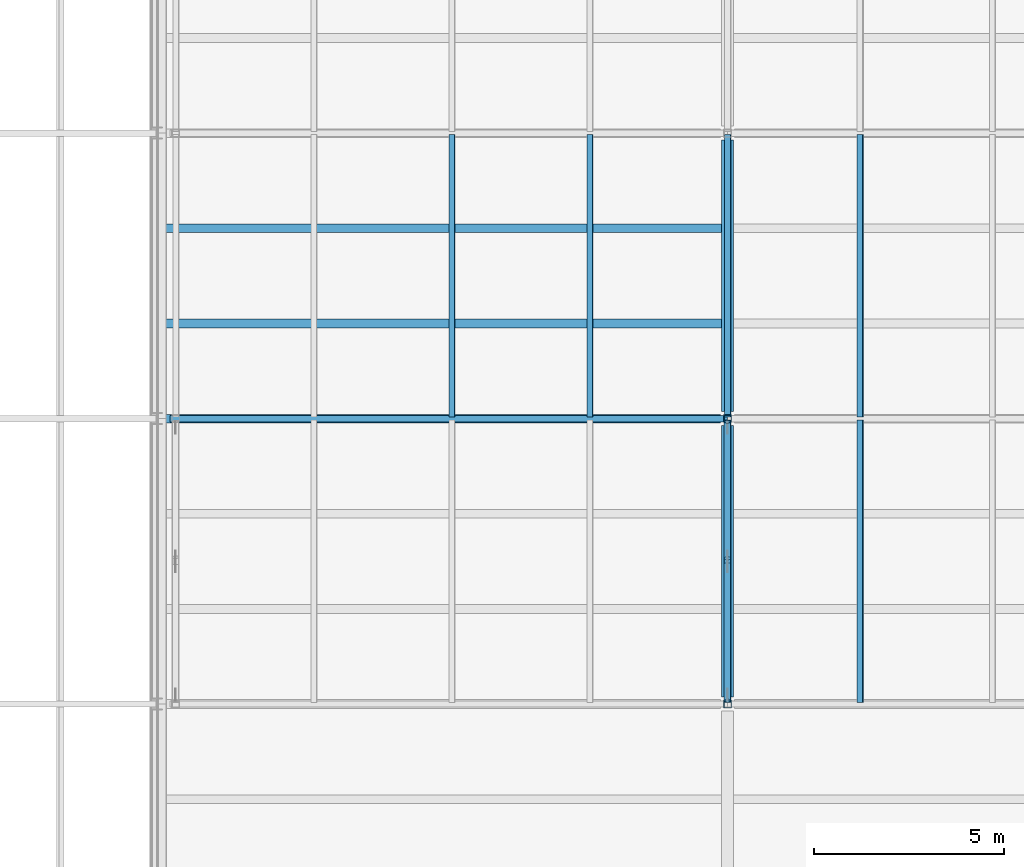
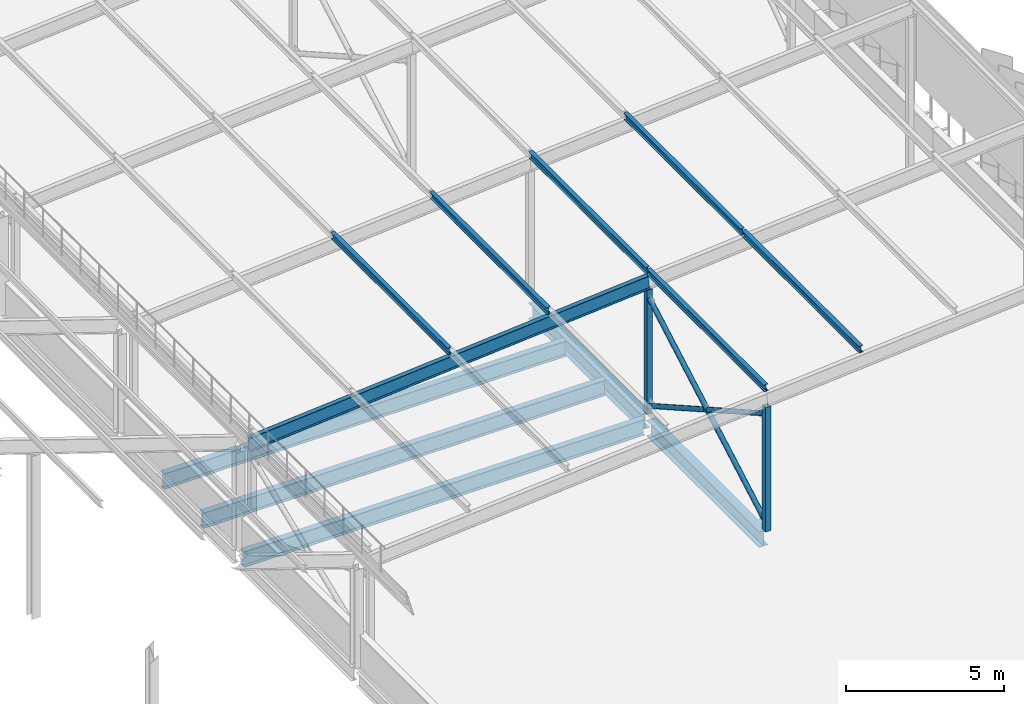
# One storey, part 73 of 483: 12 members, 5 beams.
"""IFC4 building model written with IfcOpenShell, lengths in metres."""

from ifc_helpers import new_model, si_unit, direction, frame, origin, origin_2d, place, context, subcontext, project, spatial, hollow_rectangle, hollow_circle, i_section, extrude, material, material_profile, profile_set, type_object, element, save


model = new_model("IFC4")

# Units and contexts
model_context = context("Model", 3, precision=1e-05, world=origin(), true_north=direction((0.0, 1.0)))
body_context = subcontext(model_context, "Body", "Model", "MODEL_VIEW")
ifc_project = project(units=[si_unit("LENGTHUNIT", "METRE"), si_unit("AREAUNIT", "SQUARE_METRE"), si_unit("VOLUMEUNIT", "CUBIC_METRE"), si_unit("PLANEANGLEUNIT", "RADIAN"), si_unit("MASSUNIT", "GRAM", prefix="KILO")], contexts=[model_context])

# Site, building, storey
site_placement = place(None, origin())
site = spatial("IfcSite", under=ifc_project, at=site_placement, CompositionType="ELEMENT")
building_placement = place(site_placement, origin())
building = spatial("IfcBuilding", under=site, at=building_placement, Name="Parallax Yard Mobility Hub", CompositionType="ELEMENT")
storey_placement = place(building_placement, frame((0.0, 0.0, 13.199951171875)))
storey = spatial("IfcBuildingStorey", under=building, at=storey_placement, Name="L04", CompositionType="ELEMENT", Elevation=13.199951171875)

# Members
ifc_material_1 = material(Name="Steel ASTM A500 Gr C", Category="steel")
ifc_material_profile_1 = material_profile(ifc_material_1, hollow_circle(Radius=0.0888671875, WallThickness=0.0078125, at=origin_2d()), Name="HSS177.8x7.9")
ifc_profile_set_1 = profile_set([ifc_material_profile_1], Name="Steel ASTM A500 Gr C")
member_type_1 = type_object("IfcMemberType", Name="Canopy brace HSS177.8x7.9", PredefinedType="BRACE", material=ifc_profile_set_1)
member_1_placement = place(storey_placement, frame((210.0, 37.586669921875, 0.300048828125), z_axis=(0.0, 0.870117516531, 0.492844303432), x_axis=(-1.0, 0.0, 0.0)))
element("IfcMember", 1, at=member_1_placement, inside=storey, type_object=member_type_1, Name="Canopy X brace RB bay E-A bay 1 diagonal A", PredefinedType="BRACE", context=body_context, shape_type="SweptSolid", body=[
    extrude(hollow_circle(Radius=0.0888671875, WallThickness=0.0078125, at=origin_2d()), origin(), (0.0, 0.0, 1.0), 8.42041015625),
])
for number, where, z_axis, x_axis, name in (
    (2, (210.0, 44.913330078125, 0.300048828125), (0.0, -0.870112904421, 0.492852446032), (1.0, 0.0, 0.0), "Canopy X brace RB bay E-A bay 1 diagonal B part 1"),
    (3, (210.0, 41.16845703125, 2.421142578125), (0.0, -0.870112904421, 0.492852446032), (1.0, 0.0, 0.0), "Canopy X brace RB bay E-A bay 1 diagonal B part 2"),
):
    element("IfcMember", number, at=place(storey_placement, frame(where, z_axis=z_axis, x_axis=x_axis)), inside=storey, type_object=member_type_1, Name=name, PredefinedType="BRACE", context=body_context, shape_type="SweptSolid", body=[
        extrude(hollow_circle(Radius=0.0888671875, WallThickness=0.0078125, at=origin_2d()), origin(), (0.0, 0.0, 1.0), 4.116455078125),
    ])
ifc_material_profile_2 = material_profile(ifc_material_1, hollow_rectangle(XDim=0.203125, YDim=0.203125, WallThickness=0.009521484375, at=origin_2d()), Name="HSS203x203x9.5")
ifc_profile_set_2 = profile_set([ifc_material_profile_2], Name="Steel ASTM A500 Gr C")
member_type_2 = type_object("IfcMemberType", Name="Canopy post HSS203x203x9.5", PredefinedType="POST", material=ifc_profile_set_2)
for number, where, z_axis, x_axis, name in (
    (4, (210.0, 37.5, 0.0), (0.0, 0.0, 1.0), (1.0, 0.0, 0.0), "Canopy post RB/E-A1"),
    (5, (210.0, 45.0, 0.0), (0.0, 0.0, 1.0), (1.0, 0.0, 0.0), "Canopy post RB/E-A2"),
):
    element("IfcMember", number, at=place(storey_placement, frame(where, z_axis=z_axis, x_axis=x_axis)), inside=storey, type_object=member_type_2, Name=name, PredefinedType="POST", context=body_context, shape_type="SweptSolid", body=[
        extrude(hollow_rectangle(XDim=0.203125, YDim=0.203125, WallThickness=0.009521484375, at=origin_2d()), origin(), (0.0, 0.0, 1.0), 4.81005859375),
    ])
ifc_material_2 = material(Name="Steel ASTM A992", Category="steel")
ifc_material_profile_3 = material_profile(ifc_material_2, i_section(OverallWidth=0.14794921875, OverallDepth=0.26611328125, WebThickness=0.007568359375, FlangeThickness=0.012939453125, at=origin_2d()), Name="W250x45")
ifc_profile_set_3 = profile_set([ifc_material_profile_3], Name="Steel ASTM A992")
member_type_3 = type_object("IfcMemberType", Name="Canopy purlin W250x45", PredefinedType="PURLIN", material=ifc_profile_set_3)
for number, where, z_axis, x_axis, name in (
    (6, (210.010498046875, 37.5400390625, 5.462158203125), (0.0, 1.0, 0.0), (-0.996815308126, 0.0, -0.079744852409), "Canopy purlin sector E-A bay 1 line 5"),
    (7, (213.485595703125, 37.5400390625, 5.739990234375), (0.0, 1.0, 0.0), (-0.996815308126, 0.0, -0.079744852409), "Canopy purlin sector E-A bay 1 line 6"),
    (8, (202.760498046875, 45.0400390625, 4.882080078125), (0.0, 1.0, 0.0), (-0.996815308126, 0.0, -0.079744852409), "Canopy purlin sector E-A bay 2 line 3"),
    (9, (206.385498046875, 45.0400390625, 5.172119140625), (0.0, 1.0, 0.0), (-0.996815308126, 0.0, -0.079744852409), "Canopy purlin sector E-A bay 2 line 4"),
    (10, (210.010498046875, 45.0400390625, 5.462158203125), (0.0, 1.0, 0.0), (-0.996815308126, 0.0, -0.079744852409), "Canopy purlin sector E-A bay 2 line 5"),
    (11, (213.485595703125, 45.0400390625, 5.739990234375), (0.0, 1.0, 0.0), (-0.996815308126, 0.0, -0.079744852409), "Canopy purlin sector E-A bay 2 line 6"),
):
    element("IfcMember", number, at=place(storey_placement, frame(where, z_axis=z_axis, x_axis=x_axis)), inside=storey, type_object=member_type_3, Name=name, PredefinedType="PURLIN", context=body_context, shape_type="SweptSolid", body=[
        extrude(i_section(OverallWidth=0.14794921875, OverallDepth=0.26611328125, WebThickness=0.007568359375, FlangeThickness=0.012939453125, at=origin_2d()), origin(), (0.0, 0.0, 1.0), 7.419921875),
    ])
ifc_material_profile_4 = material_profile(ifc_material_2, i_section(OverallWidth=0.166015625, OverallDepth=0.529052734375, WebThickness=0.009765625, FlangeThickness=0.013671875, at=origin_2d()), Name="W530x74")
ifc_profile_set_4 = profile_set([ifc_material_profile_4], Name="Steel ASTM A992")
member_type_4 = type_object("IfcMemberType", Name="Canopy rafter W530x74", PredefinedType="RAFTER", material=ifc_profile_set_4)
member_2_placement = place(storey_placement, frame((195.37109375, 45.0, 3.89501953125), z_axis=(0.996814591838, 0.0, 0.079753805543), x_axis=(0.0, 1.0, 0.0)))
element("IfcMember", 12, at=member_2_placement, inside=storey, type_object=member_type_4, Name="Canopy rafter E-A2 inner span", PredefinedType="RAFTER", context=body_context, shape_type="SweptSolid", body=[
    extrude(i_section(OverallWidth=0.166015625, OverallDepth=0.529052734375, WebThickness=0.009765625, FlangeThickness=0.013671875, at=origin_2d()), origin(), (0.0, 0.0, 1.0), 14.69677734375),
])

# Beams
ifc_material_profile_5 = material_profile(ifc_material_2, i_section(OverallWidth=0.22802734375, OverallDepth=0.60205078125, WebThickness=0.010498046875, FlangeThickness=0.014892578125, FilletRadius=0.0126953125, at=origin_2d()), Name="W610x101")
ifc_profile_set_5 = profile_set([ifc_material_profile_5], Name="Steel ASTM A992")
beam_type_1 = type_object("IfcBeamType", Name="W610x101 secondary beam", PredefinedType="JOIST", material=ifc_profile_set_5)
for number, where, z_axis, x_axis, name in (
    (13, (195.1044921875, 47.5, -0.44091796875), (1.0, 0.0, 0.0), (0.0, 1.0, 0.0), "Secondary beam B3 level L04, 2.5 m north of line G of ramped parking decks, span 1"),
    (14, (195.1044921875, 50.0, -0.44091796875), (1.0, 0.0, 0.0), (0.0, 1.0, 0.0), "Secondary beam B3 level L04, 5 m north of line G of ramped parking decks, span 1"),
):
    element("IfcBeam", number, at=place(storey_placement, frame(where, z_axis=z_axis, x_axis=x_axis)), inside=storey, type_object=beam_type_1, Name=name, PredefinedType="JOIST", context=body_context, shape_type="SweptSolid", body=[
        extrude(i_section(OverallWidth=0.22802734375, OverallDepth=0.60205078125, WebThickness=0.010498046875, FlangeThickness=0.014892578125, FilletRadius=0.0126953125, at=origin_2d()), origin(), (0.0, 0.0, 1.0), 14.73291015625),
    ])
ifc_material_profile_6 = material_profile(ifc_material_2, i_section(OverallWidth=0.22900390625, OverallDepth=0.612060546875, WebThickness=0.011962890625, FlangeThickness=0.01953125, FilletRadius=0.0126953125, at=origin_2d()), Name="W610x125")
ifc_profile_set_6 = profile_set([ifc_material_profile_6], Name="Steel ASTM A992")
beam_type_2 = type_object("IfcBeamType", Name="W610x125 girder", PredefinedType="BEAM", material=ifc_profile_set_6)
beam_placement = place(storey_placement, frame((195.153564453125, 45.0, -0.446044921875), z_axis=(1.0, 0.0, 0.0), x_axis=(0.0, 1.0, 0.0)))
element("IfcBeam", 15, at=beam_placement, inside=storey, type_object=beam_type_2, Name="Girder G3 level L04, line G of ramped parking decks, span 1", PredefinedType="BEAM", context=body_context, shape_type="SweptSolid", body=[
    extrude(i_section(OverallWidth=0.22900390625, OverallDepth=0.612060546875, WebThickness=0.011962890625, FlangeThickness=0.01953125, FilletRadius=0.0126953125, at=origin_2d()), origin(), (0.0, 0.0, 1.0), 14.662353515625),
])
ifc_material_profile_7 = material_profile(ifc_material_2, i_section(OverallWidth=0.324951171875, OverallDepth=0.612060546875, WebThickness=0.0126953125, FlangeThickness=0.01904296875, FilletRadius=0.0126953125, at=origin_2d()), Name="W610x155")
ifc_profile_set_7 = profile_set([ifc_material_profile_7], Name="Steel ASTM A992")
beam_type_3 = type_object("IfcBeamType", Name="W610x155 longitudinal beam", PredefinedType="BEAM", material=ifc_profile_set_7)
for number, where, z_axis, x_axis, name in (
    (16, (210.0, 37.6865234375, -0.446044921875), (0.0, 1.0, 0.0), (-1.0, 0.0, 0.0), "Longitudinal beam SB8 level L04, line 29 of ramped parking decks, span 3"),
    (17, (210.0, 45.1865234375, -0.446044921875), (0.0, 1.0, 0.0), (-1.0, 0.0, 0.0), "Longitudinal beam SB8 level L04, line 29 of ramped parking decks, span 4"),
):
    element("IfcBeam", number, at=place(storey_placement, frame(where, z_axis=z_axis, x_axis=x_axis)), inside=storey, type_object=beam_type_3, Name=name, PredefinedType="BEAM", context=body_context, shape_type="SweptSolid", body=[
        extrude(i_section(OverallWidth=0.324951171875, OverallDepth=0.612060546875, WebThickness=0.0126953125, FlangeThickness=0.01904296875, FilletRadius=0.0126953125, at=origin_2d()), origin(), (0.0, 0.0, 1.0), 7.126953125),
    ])

save(model, "model.ifc")
